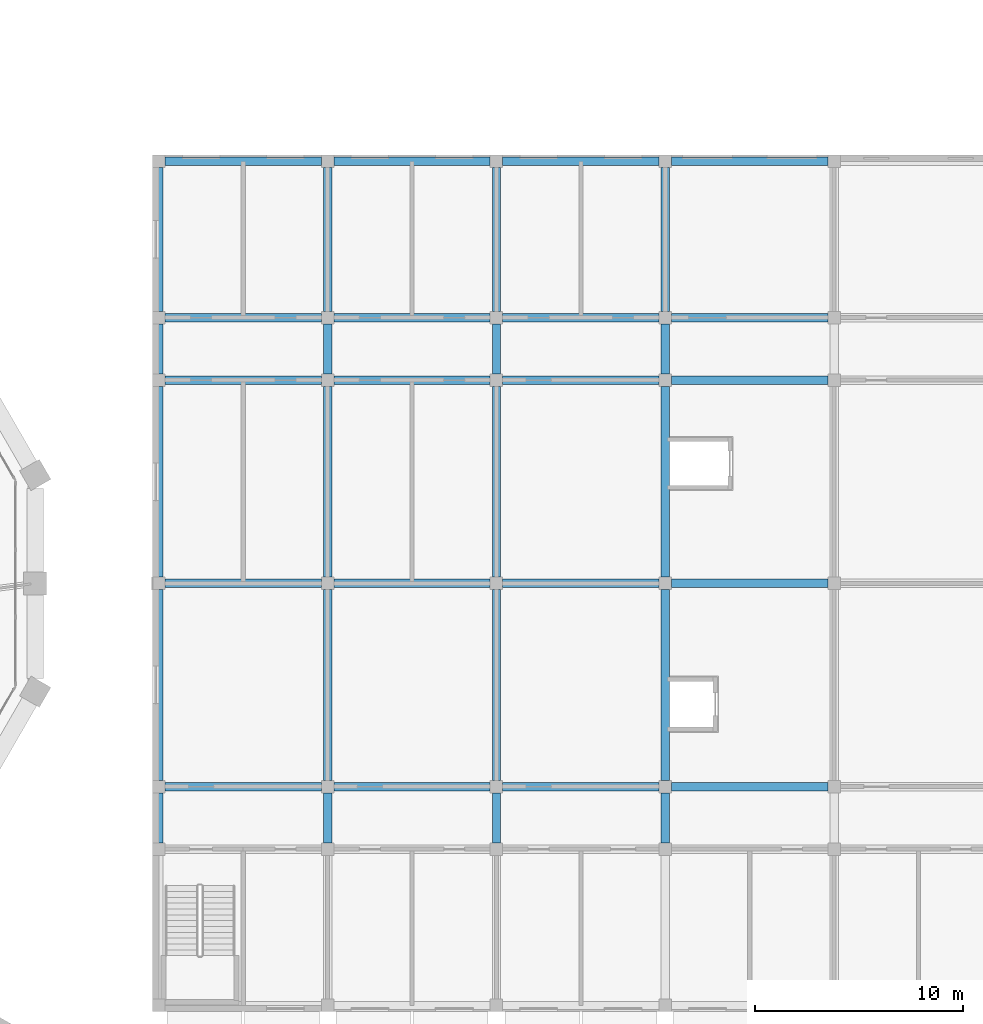
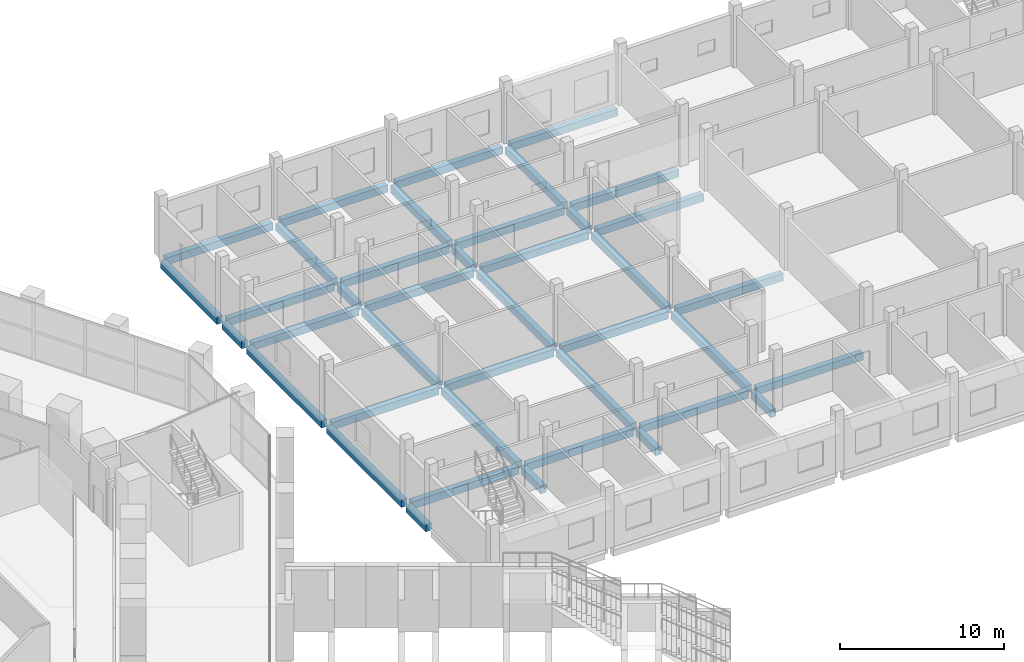
# One storey, part 11 of 38: 40 beams.
"""IFC4 building model written with IfcOpenShell, lengths in metres."""

from ifc_helpers import new_model, si_unit, direction, frame, origin, origin_2d, place, context, subcontext, project, spatial, rectangle, extrude, material, material_profile, profile_set, type_object, element, save


model = new_model("IFC4")

# Units and contexts
model_context = context("Model", 3, precision=1e-05, world=origin(), true_north=direction((0.0, 1.0)))
body_context = subcontext(model_context, "Body", "Model", "MODEL_VIEW")
ifc_project = project(units=[si_unit("LENGTHUNIT", "METRE"), si_unit("AREAUNIT", "SQUARE_METRE"), si_unit("VOLUMEUNIT", "CUBIC_METRE"), si_unit("PLANEANGLEUNIT", "RADIAN"), si_unit("MASSUNIT", "GRAM", prefix="KILO")], contexts=[model_context])

# Site, building, storey
site_placement = place(None, origin())
site = spatial("IfcSite", under=ifc_project, at=site_placement, CompositionType="ELEMENT")
building_placement = place(site_placement, origin())
building = spatial("IfcBuilding", under=site, at=building_placement, Name="Frailejon Research Tower", CompositionType="ELEMENT")
storey_placement = place(building_placement, frame((0.0, 0.0, 5.60009765625)))
storey = spatial("IfcBuildingStorey", under=building, at=storey_placement, Name="L01", CompositionType="ELEMENT", Elevation=5.60009765625)

# Beams
ifc_material = material(Name="Concrete C35/45", Category="concrete")
ifc_material_profile = material_profile(ifc_material, rectangle(XDim=0.39990234375, YDim=0.550048828125, at=origin_2d()), Name="HC floor beam 400x550")
ifc_profile_set = profile_set([ifc_material_profile], Name="Concrete C35/45")
beam_type = type_object("IfcBeamType", Name="HC floor beam 400x550", PredefinedType="BEAM", material=ifc_profile_set)
for number, where, z_axis, x_axis, name in (
    (1, (44.800048828125, -9.75, -0.525146484375), (1.0, 0.0, 0.0), (0.0, 1.0, 0.0), "HC floor beam"),
    (2, (52.89990234375, -9.75, -0.525146484375), (1.0, 0.0, 0.0), (0.0, 1.0, 0.0), "HC floor beam"),
    (3, (61.0, -9.75, -0.525146484375), (1.0, 0.0, 0.0), (0.0, 1.0, 0.0), "HC floor beam"),
    (4, (69.10009765625, -9.75, -0.525146484375), (1.0, 0.0, 0.0), (0.0, 1.0, 0.0), "HC floor beam"),
    (5, (44.800048828125, 0.0, -0.525146484375), (1.0, 0.0, 0.0), (0.0, 1.0, 0.0), "HC floor beam"),
    (6, (52.89990234375, 0.0, -0.525146484375), (1.0, 0.0, 0.0), (0.0, 1.0, 0.0), "HC floor beam"),
    (7, (61.0, 0.0, -0.525146484375), (1.0, 0.0, 0.0), (0.0, 1.0, 0.0), "HC floor beam"),
    (8, (69.10009765625, 0.0, -0.525146484375), (1.0, 0.0, 0.0), (0.0, 1.0, 0.0), "HC floor beam"),
    (9, (44.800048828125, 9.75, -0.525146484375), (1.0, 0.0, 0.0), (0.0, 1.0, 0.0), "HC floor beam"),
    (10, (52.89990234375, 9.75, -0.525146484375), (1.0, 0.0, 0.0), (0.0, 1.0, 0.0), "HC floor beam"),
    (11, (61.0, 9.75, -0.525146484375), (1.0, 0.0, 0.0), (0.0, 1.0, 0.0), "HC floor beam"),
    (12, (69.10009765625, 9.75, -0.525146484375), (1.0, 0.0, 0.0), (0.0, 1.0, 0.0), "HC floor beam"),
    (13, (44.800048828125, 12.75, -0.525146484375), (1.0, 0.0, 0.0), (0.0, 1.0, 0.0), "HC floor beam"),
    (14, (52.89990234375, 12.75, -0.525146484375), (1.0, 0.0, 0.0), (0.0, 1.0, 0.0), "HC floor beam"),
    (15, (61.0, 12.75, -0.525146484375), (1.0, 0.0, 0.0), (0.0, 1.0, 0.0), "HC floor beam"),
    (16, (69.10009765625, 12.75, -0.525146484375), (1.0, 0.0, 0.0), (0.0, 1.0, 0.0), "HC floor beam"),
    (17, (44.800048828125, 20.25, -0.525146484375), (1.0, 0.0, 0.0), (0.0, 1.0, 0.0), "HC floor beam"),
    (18, (52.89990234375, 20.25, -0.525146484375), (1.0, 0.0, 0.0), (0.0, 1.0, 0.0), "HC floor beam"),
    (19, (61.0, 20.25, -0.525146484375), (1.0, 0.0, 0.0), (0.0, 1.0, 0.0), "HC floor beam"),
    (20, (69.10009765625, 20.25, -0.525146484375), (1.0, 0.0, 0.0), (0.0, 1.0, 0.0), "HC floor beam"),
):
    element("IfcBeam", number, at=place(storey_placement, frame(where, z_axis=z_axis, x_axis=x_axis)), inside=storey, type_object=beam_type, Name=name, PredefinedType="BEAM", context=body_context, shape_type="SweptSolid", body=[
        extrude(rectangle(XDim=0.39990234375, YDim=0.550048828125, at=origin_2d()), origin(), (0.0, 0.0, 1.0), 7.5),
    ])
beam_1_placement = place(storey_placement, frame((44.5, -12.449951171875, -0.525146484375), z_axis=(0.0, 1.0, 0.0), x_axis=(-1.0, 0.0, 0.0)))
element("IfcBeam", 21, at=beam_1_placement, inside=storey, type_object=beam_type, Name="HC floor beam", PredefinedType="BEAM", context=body_context, shape_type="SweptSolid", body=[
    extrude(rectangle(XDim=0.39990234375, YDim=0.550048828125, at=origin_2d()), origin(), (0.0, 0.0, 1.0), 2.39990234375),
])
for number, where, z_axis, x_axis, name in (
    (22, (44.5, -9.449951171875, -0.525146484375), (0.0, 1.0, 0.0), (-1.0, 0.0, 0.0), "HC floor beam"),
    (23, (44.5, 0.300048828125, -0.525146484375), (0.0, 1.0, 0.0), (-1.0, 0.0, 0.0), "HC floor beam"),
):
    element("IfcBeam", number, at=place(storey_placement, frame(where, z_axis=z_axis, x_axis=x_axis)), inside=storey, type_object=beam_type, Name=name, PredefinedType="BEAM", context=body_context, shape_type="SweptSolid", body=[
        extrude(rectangle(XDim=0.39990234375, YDim=0.550048828125, at=origin_2d()), origin(), (0.0, 0.0, 1.0), 9.14990234375),
    ])
beam_2_placement = place(storey_placement, frame((44.5, 10.050048828125, -0.525146484375), z_axis=(0.0, 1.0, 0.0), x_axis=(-1.0, 0.0, 0.0)))
element("IfcBeam", 24, at=beam_2_placement, inside=storey, type_object=beam_type, Name="HC floor beam", PredefinedType="BEAM", context=body_context, shape_type="SweptSolid", body=[
    extrude(rectangle(XDim=0.39990234375, YDim=0.550048828125, at=origin_2d()), origin(), (0.0, 0.0, 1.0), 2.39990234375),
])
beam_3_placement = place(storey_placement, frame((44.5, 13.050048828125, -0.525146484375), z_axis=(0.0, 1.0, 0.0), x_axis=(-1.0, 0.0, 0.0)))
element("IfcBeam", 25, at=beam_3_placement, inside=storey, type_object=beam_type, Name="HC floor beam", PredefinedType="BEAM", context=body_context, shape_type="SweptSolid", body=[
    extrude(rectangle(XDim=0.39990234375, YDim=0.550048828125, at=origin_2d()), origin(), (0.0, 0.0, 1.0), 6.89990234375),
])
beam_4_placement = place(storey_placement, frame((52.60009765625, -12.449951171875, -0.525146484375), z_axis=(0.0, 1.0, 0.0), x_axis=(-1.0, 0.0, 0.0)))
element("IfcBeam", 26, at=beam_4_placement, inside=storey, type_object=beam_type, Name="HC floor beam", PredefinedType="BEAM", context=body_context, shape_type="SweptSolid", body=[
    extrude(rectangle(XDim=0.39990234375, YDim=0.550048828125, at=origin_2d()), origin(), (0.0, 0.0, 1.0), 2.39990234375),
])
for number, where, z_axis, x_axis, name in (
    (27, (52.60009765625, -9.449951171875, -0.525146484375), (0.0, 1.0, 0.0), (-1.0, 0.0, 0.0), "HC floor beam"),
    (28, (52.60009765625, 0.300048828125, -0.525146484375), (0.0, 1.0, 0.0), (-1.0, 0.0, 0.0), "HC floor beam"),
):
    element("IfcBeam", number, at=place(storey_placement, frame(where, z_axis=z_axis, x_axis=x_axis)), inside=storey, type_object=beam_type, Name=name, PredefinedType="BEAM", context=body_context, shape_type="SweptSolid", body=[
        extrude(rectangle(XDim=0.39990234375, YDim=0.550048828125, at=origin_2d()), origin(), (0.0, 0.0, 1.0), 9.14990234375),
    ])
beam_5_placement = place(storey_placement, frame((52.60009765625, 10.050048828125, -0.525146484375), z_axis=(0.0, 1.0, 0.0), x_axis=(-1.0, 0.0, 0.0)))
element("IfcBeam", 29, at=beam_5_placement, inside=storey, type_object=beam_type, Name="HC floor beam", PredefinedType="BEAM", context=body_context, shape_type="SweptSolid", body=[
    extrude(rectangle(XDim=0.39990234375, YDim=0.550048828125, at=origin_2d()), origin(), (0.0, 0.0, 1.0), 2.39990234375),
])
beam_6_placement = place(storey_placement, frame((52.60009765625, 13.050048828125, -0.525146484375), z_axis=(0.0, 1.0, 0.0), x_axis=(-1.0, 0.0, 0.0)))
element("IfcBeam", 30, at=beam_6_placement, inside=storey, type_object=beam_type, Name="HC floor beam", PredefinedType="BEAM", context=body_context, shape_type="SweptSolid", body=[
    extrude(rectangle(XDim=0.39990234375, YDim=0.550048828125, at=origin_2d()), origin(), (0.0, 0.0, 1.0), 6.89990234375),
])
beam_7_placement = place(storey_placement, frame((60.699951171875, -12.449951171875, -0.525146484375), z_axis=(0.0, 1.0, 0.0), x_axis=(-1.0, 0.0, 0.0)))
element("IfcBeam", 31, at=beam_7_placement, inside=storey, type_object=beam_type, Name="HC floor beam", PredefinedType="BEAM", context=body_context, shape_type="SweptSolid", body=[
    extrude(rectangle(XDim=0.39990234375, YDim=0.550048828125, at=origin_2d()), origin(), (0.0, 0.0, 1.0), 2.39990234375),
])
for number, where, z_axis, x_axis, name in (
    (32, (60.699951171875, -9.449951171875, -0.525146484375), (0.0, 1.0, 0.0), (-1.0, 0.0, 0.0), "HC floor beam"),
    (33, (60.699951171875, 0.300048828125, -0.525146484375), (0.0, 1.0, 0.0), (-1.0, 0.0, 0.0), "HC floor beam"),
):
    element("IfcBeam", number, at=place(storey_placement, frame(where, z_axis=z_axis, x_axis=x_axis)), inside=storey, type_object=beam_type, Name=name, PredefinedType="BEAM", context=body_context, shape_type="SweptSolid", body=[
        extrude(rectangle(XDim=0.39990234375, YDim=0.550048828125, at=origin_2d()), origin(), (0.0, 0.0, 1.0), 9.14990234375),
    ])
beam_8_placement = place(storey_placement, frame((60.699951171875, 10.050048828125, -0.525146484375), z_axis=(0.0, 1.0, 0.0), x_axis=(-1.0, 0.0, 0.0)))
element("IfcBeam", 34, at=beam_8_placement, inside=storey, type_object=beam_type, Name="HC floor beam", PredefinedType="BEAM", context=body_context, shape_type="SweptSolid", body=[
    extrude(rectangle(XDim=0.39990234375, YDim=0.550048828125, at=origin_2d()), origin(), (0.0, 0.0, 1.0), 2.39990234375),
])
beam_9_placement = place(storey_placement, frame((60.699951171875, 13.050048828125, -0.525146484375), z_axis=(0.0, 1.0, 0.0), x_axis=(-1.0, 0.0, 0.0)))
element("IfcBeam", 35, at=beam_9_placement, inside=storey, type_object=beam_type, Name="HC floor beam", PredefinedType="BEAM", context=body_context, shape_type="SweptSolid", body=[
    extrude(rectangle(XDim=0.39990234375, YDim=0.550048828125, at=origin_2d()), origin(), (0.0, 0.0, 1.0), 6.89990234375),
])
beam_10_placement = place(storey_placement, frame((68.800048828125, -12.449951171875, -0.525146484375), z_axis=(0.0, 1.0, 0.0), x_axis=(-1.0, 0.0, 0.0)))
element("IfcBeam", 36, at=beam_10_placement, inside=storey, type_object=beam_type, Name="HC floor beam", PredefinedType="BEAM", context=body_context, shape_type="SweptSolid", body=[
    extrude(rectangle(XDim=0.39990234375, YDim=0.550048828125, at=origin_2d()), origin(), (0.0, 0.0, 1.0), 2.39990234375),
])
for number, where, z_axis, x_axis, name in (
    (37, (68.800048828125, -9.449951171875, -0.525146484375), (0.0, 1.0, 0.0), (-1.0, 0.0, 0.0), "HC floor beam"),
    (38, (68.800048828125, 0.300048828125, -0.525146484375), (0.0, 1.0, 0.0), (-1.0, 0.0, 0.0), "HC floor beam"),
):
    element("IfcBeam", number, at=place(storey_placement, frame(where, z_axis=z_axis, x_axis=x_axis)), inside=storey, type_object=beam_type, Name=name, PredefinedType="BEAM", context=body_context, shape_type="SweptSolid", body=[
        extrude(rectangle(XDim=0.39990234375, YDim=0.550048828125, at=origin_2d()), origin(), (0.0, 0.0, 1.0), 9.14990234375),
    ])
beam_11_placement = place(storey_placement, frame((68.800048828125, 10.050048828125, -0.525146484375), z_axis=(0.0, 1.0, 0.0), x_axis=(-1.0, 0.0, 0.0)))
element("IfcBeam", 39, at=beam_11_placement, inside=storey, type_object=beam_type, Name="HC floor beam", PredefinedType="BEAM", context=body_context, shape_type="SweptSolid", body=[
    extrude(rectangle(XDim=0.39990234375, YDim=0.550048828125, at=origin_2d()), origin(), (0.0, 0.0, 1.0), 2.39990234375),
])
beam_12_placement = place(storey_placement, frame((68.800048828125, 13.050048828125, -0.525146484375), z_axis=(0.0, 1.0, 0.0), x_axis=(-1.0, 0.0, 0.0)))
element("IfcBeam", 40, at=beam_12_placement, inside=storey, type_object=beam_type, Name="HC floor beam", PredefinedType="BEAM", context=body_context, shape_type="SweptSolid", body=[
    extrude(rectangle(XDim=0.39990234375, YDim=0.550048828125, at=origin_2d()), origin(), (0.0, 0.0, 1.0), 6.89990234375),
])

save(model, "model.ifc")
